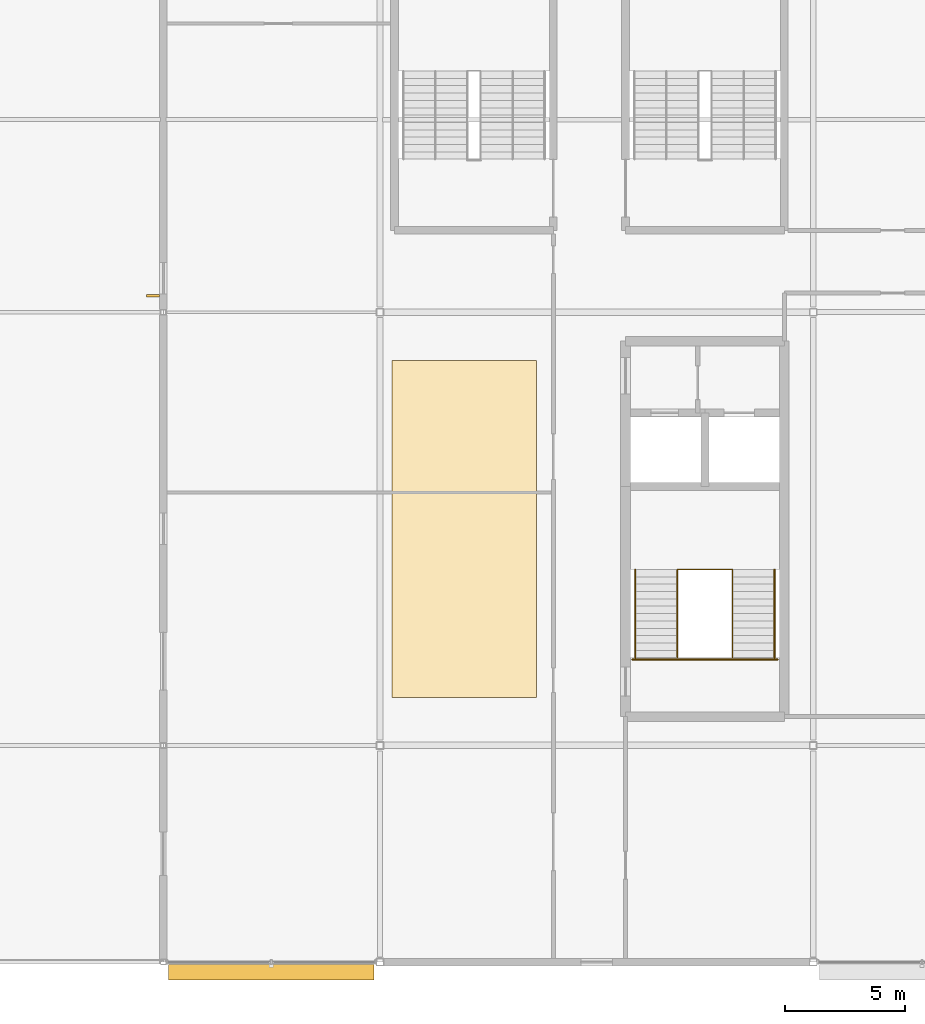
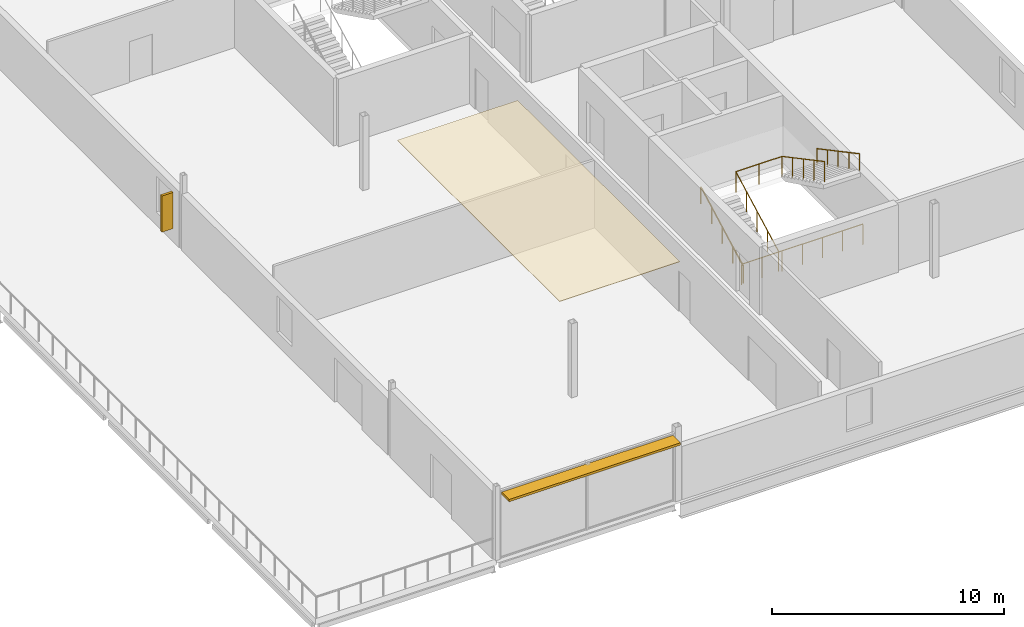
# One storey, part 51 of 55: 4 railings, 2 shading devices, 1 covering.
"""IFC4 building model written with IfcOpenShell, lengths in metres."""

from ifc_helpers import new_model, si_unit, direction, frame, origin, origin_2d, place, context, subcontext, project, spatial, polyline, rectangle, circle, outline, extrude, material, layer, layer_set, type_object, element, save


model = new_model("IFC4")

# Units and contexts
model_context = context("Model", 3, precision=1e-05, world=origin(), true_north=direction((0.0, 1.0)))
body_context = subcontext(model_context, "Body", "Model", "MODEL_VIEW")
ifc_project = project(units=[si_unit("LENGTHUNIT", "METRE"), si_unit("AREAUNIT", "SQUARE_METRE"), si_unit("VOLUMEUNIT", "CUBIC_METRE"), si_unit("PLANEANGLEUNIT", "RADIAN"), si_unit("MASSUNIT", "GRAM", prefix="KILO")], contexts=[model_context])

# Site, building, storey
site_placement = place(None, origin())
site = spatial("IfcSite", under=ifc_project, at=site_placement, CompositionType="ELEMENT")
building_placement = place(site_placement, origin())
building = spatial("IfcBuilding", under=site, at=building_placement, Name="Kisiwana Market Hall", CompositionType="ELEMENT")
storey_placement = place(building_placement, frame((0.0, 0.0, 37.800048828125)))
storey = spatial("IfcBuildingStorey", under=building, at=storey_placement, Name="L08", CompositionType="ELEMENT", Elevation=37.800048828125)

# Covering
ifc_material_1 = material(Name="Mineral-fibre acoustic ceiling board")
ifc_layer = layer(ifc_material_1, 0.02490234375)
ifc_layer_set = layer_set([ifc_layer], Name="COV-CEIL-AC")
covering_type = type_object("IfcCoveringType", Name="COV-CEIL-AC", PredefinedType="CEILING", material=ifc_layer_set)
covering_placement = place(storey_placement, frame((0.0, 0.0, 3.5400390625)))
element("IfcCovering", 1, at=covering_placement, inside=storey, type_object=covering_type, Name="Acoustic ceiling grid L08-022", PredefinedType="CEILING", context=body_context, shape_type="SweptSolid", body=[
    extrude(outline(polyline([(171.5, 20.0), (177.5, 20.0), (177.5, 34.0), (171.5, 34.0), (171.5, 20.0)])), origin(), (0.0, 0.0, 1.0), 0.02490234375),
])

# Railings
ifc_material_2 = material(Name="Steel S275", Category="steel")
railing_type_1 = type_object("IfcRailingType", Name="RL-GUARD-1100", PredefinedType="GUARDRAIL", material=ifc_material_2)
railing_1_placement = place(storey_placement, frame((183.35009765625, 21.6494140625, 0.0)))
element("IfcRailing", 2, at=railing_1_placement, inside=storey, type_object=railing_type_1, Name="Stair ST-E2-L08 inner-well guardrail (RL-1139)", PredefinedType="GUARDRAIL", context=body_context, shape_type="SweptSolid", body=[
    extrude(circle(Radius=0.02392578125, at=origin_2d()), frame((0.0, 0.0, 1.076171875), z_axis=(0.0, 0.882566327451, 0.470187917379), x_axis=(-1.0, 0.0, 0.0)), (0.0, 0.0, 1.0), 4.147216796875),
    extrude(circle(Radius=0.02392578125, at=origin_2d()), frame((0.0, 3.66015625, 3.02587890625), z_axis=(1.0, 0.0, 0.0), x_axis=(0.0, 1.0, 0.0)), (0.0, 0.0, 1.0), 2.2998046875),
    extrude(circle(Radius=0.02392578125, at=origin_2d()), frame((2.2998046875, 3.66015625, 3.02587890625), z_axis=(0.0, -0.882566327451, 0.470187917379), x_axis=(1.0, 0.0, 0.0)), (0.0, 0.0, 1.0), 4.147216796875),
    extrude(circle(Radius=0.02099609375, at=origin_2d()), origin(), (0.0, 0.0, 1.0), 1.052001953125),
    extrude(circle(Radius=0.02099609375, at=origin_2d()), frame((0.0, 0.9150390625, 0.487548828125)), (0.0, 0.0, 1.0), 1.052001953125),
    extrude(circle(Radius=0.02099609375, at=origin_2d()), frame((0.0, 1.830078125, 0.97509765625)), (0.0, 0.0, 1.0), 1.052001953125),
    extrude(circle(Radius=0.02099609375, at=origin_2d()), frame((0.0, 2.7451171875, 1.46240234375)), (0.0, 0.0, 1.0), 1.052001953125),
    extrude(circle(Radius=0.02099609375, at=origin_2d()), frame((0.0, 3.66015625, 1.949951171875)), (0.0, 0.0, 1.0), 1.052001953125),
    extrude(circle(Radius=0.02099609375, at=origin_2d()), frame((1.14990234375, 3.66015625, 1.949951171875)), (0.0, 0.0, 1.0), 1.052001953125),
    extrude(circle(Radius=0.02099609375, at=origin_2d()), frame((2.2998046875, 3.66015625, 1.949951171875)), (0.0, 0.0, 1.0), 1.052001953125),
    extrude(circle(Radius=0.02099609375, at=origin_2d()), frame((2.2998046875, 2.7451171875, 2.4375)), (0.0, 0.0, 1.0), 1.052001953125),
    extrude(circle(Radius=0.02099609375, at=origin_2d()), frame((2.2998046875, 1.830078125, 2.9248046875)), (0.0, 0.0, 1.0), 1.052001953125),
    extrude(circle(Radius=0.02099609375, at=origin_2d()), frame((2.2998046875, 0.9150390625, 3.412353515625)), (0.0, 0.0, 1.0), 1.052001953125),
    extrude(circle(Radius=0.02099609375, at=origin_2d()), frame((2.2998046875, 0.0, 3.89990234375)), (0.0, 0.0, 1.0), 1.052001953125),
])
railing_2_placement = place(storey_placement, frame((181.47998046875, 21.569580078125, 0.0)))
element("IfcRailing", 3, at=railing_2_placement, inside=storey, type_object=railing_type_1, Name="Stair ST-E2-L08 landing edge guardrail (RL-1142)", PredefinedType="GUARDRAIL", context=body_context, shape_type="SweptSolid", body=[
    extrude(circle(Radius=0.02392578125, at=origin_2d()), frame((0.0, 0.0, 1.076171875), z_axis=(1.0, 0.0, 0.0), x_axis=(0.0, 1.0, 0.0)), (0.0, 0.0, 1.0), 6.0400390625),
    extrude(circle(Radius=0.02099609375, at=origin_2d()), origin(), (0.0, 0.0, 1.0), 1.052001953125),
    extrude(circle(Radius=0.02099609375, at=origin_2d()), frame((1.006591796875, 0.0, 0.0)), (0.0, 0.0, 1.0), 1.052001953125),
    extrude(circle(Radius=0.02099609375, at=origin_2d()), frame((2.013427734375, 0.0, 0.0)), (0.0, 0.0, 1.0), 1.052001953125),
    extrude(circle(Radius=0.02099609375, at=origin_2d()), frame((3.02001953125, 0.0, 0.0)), (0.0, 0.0, 1.0), 1.052001953125),
    extrude(circle(Radius=0.02099609375, at=origin_2d()), frame((4.026611328125, 0.0, 0.0)), (0.0, 0.0, 1.0), 1.052001953125),
    extrude(circle(Radius=0.02099609375, at=origin_2d()), frame((5.033447265625, 0.0, 0.0)), (0.0, 0.0, 1.0), 1.052001953125),
    extrude(circle(Radius=0.02099609375, at=origin_2d()), frame((6.0400390625, 0.0, 0.0)), (0.0, 0.0, 1.0), 1.052001953125),
])
ifc_material_3 = material(Name="Steel S275", Category="steel")
railing_type_2 = type_object("IfcRailingType", Name="RL-HAND-900", PredefinedType="HANDRAIL", material=ifc_material_3)
railing_3_placement = place(storey_placement, frame((181.610107421875, 21.6494140625, 0.0)))
element("IfcRailing", 4, at=railing_3_placement, inside=storey, type_object=railing_type_2, Name="Stair ST-E2-L08 flight 1 handrail (RL-1140)", PredefinedType="HANDRAIL", context=body_context, shape_type="SweptSolid", body=[
    extrude(circle(Radius=0.02392578125, at=origin_2d()), frame((0.0, 0.0, 0.8759765625), z_axis=(0.0, 0.882566327451, 0.470187917379), x_axis=(-1.0, 0.0, 0.0)), (0.0, 0.0, 1.0), 4.147216796875),
    extrude(circle(Radius=0.02099609375, at=origin_2d()), origin(), (0.0, 0.0, 1.0), 0.851806640625),
    extrude(circle(Radius=0.02099609375, at=origin_2d()), frame((0.0, 0.9150390625, 0.487548828125)), (0.0, 0.0, 1.0), 0.851806640625),
    extrude(circle(Radius=0.02099609375, at=origin_2d()), frame((0.0, 1.830078125, 0.97509765625)), (0.0, 0.0, 1.0), 0.851806640625),
    extrude(circle(Radius=0.02099609375, at=origin_2d()), frame((0.0, 2.7451171875, 1.46240234375)), (0.0, 0.0, 1.0), 0.851806640625),
    extrude(circle(Radius=0.02099609375, at=origin_2d()), frame((0.0, 3.66015625, 1.949951171875)), (0.0, 0.0, 1.0), 0.851806640625),
])
railing_4_placement = place(storey_placement, frame((187.389892578125, 25.3095703125, 1.949951171875)))
element("IfcRailing", 5, at=railing_4_placement, inside=storey, type_object=railing_type_2, Name="Stair ST-E2-L08 flight 2 handrail (RL-1141)", PredefinedType="HANDRAIL", context=body_context, shape_type="SweptSolid", body=[
    extrude(circle(Radius=0.02392578125, at=origin_2d()), frame((0.0, 0.0, 0.8759765625), z_axis=(0.0, -0.882566327451, 0.470187917379), x_axis=(1.0, 0.0, 0.0)), (0.0, 0.0, 1.0), 4.147216796875),
    extrude(circle(Radius=0.02099609375, at=origin_2d()), origin(), (0.0, 0.0, 1.0), 0.851806640625),
    extrude(circle(Radius=0.02099609375, at=origin_2d()), frame((0.0, -0.9150390625, 0.487548828125)), (0.0, 0.0, 1.0), 0.851806640625),
    extrude(circle(Radius=0.02099609375, at=origin_2d()), frame((0.0, -1.830078125, 0.97509765625)), (0.0, 0.0, 1.0), 0.851806640625),
    extrude(circle(Radius=0.02099609375, at=origin_2d()), frame((0.0, -2.7451171875, 1.46240234375)), (0.0, 0.0, 1.0), 0.851806640625),
    extrude(circle(Radius=0.02099609375, at=origin_2d()), frame((0.0, -3.66015625, 1.949951171875)), (0.0, 0.0, 1.0), 0.851806640625),
])

# Shading devices
ifc_material_4 = material(Name="Aluminium alloy 6063-T6", Category="aluminium")
shading_device_type_1 = type_object("IfcShadingDeviceType", Name="SHD-JALOUSIE-H", PredefinedType="JALOUSIE", material=ifc_material_4)
shading_device_1_placement = place(storey_placement, frame((166.47998046875, 8.580078125, 3.385009765625), z_axis=(0.0, 0.0, 1.0), x_axis=(1.0, 0.0, 0.0)))
element("IfcShadingDevice", 6, at=shading_device_1_placement, inside=storey, type_object=shading_device_type_1, Name="Aluminium brise-soleil louvre SHD-179 SD-178", PredefinedType="JALOUSIE", context=body_context, shape_type="SweptSolid", body=[
    extrude(rectangle(XDim=8.5400390625, YDim=0.64990234375, at=origin_2d()), origin(), (0.0, 0.0, 1.0), 0.1201171875),
])
ifc_material_5 = material(Name="Aluminium alloy 6063-T6", Category="aluminium")
shading_device_type_2 = type_object("IfcShadingDeviceType", Name="SHD-SHUTTER-V", PredefinedType="SHUTTER", material=ifc_material_5)
shading_device_2_placement = place(storey_placement, frame((161.5673828125, 36.68505859375, 0.699951171875), z_axis=(0.0, 0.0, 1.0), x_axis=(0.0, 1.0, 0.0)))
element("IfcShadingDevice", 7, at=shading_device_2_placement, inside=storey, type_object=shading_device_type_2, Name="Vertical solar fin SHD-185 SD-184", PredefinedType="SHUTTER", context=body_context, shape_type="SweptSolid", body=[
    extrude(rectangle(XDim=0.1201171875, YDim=0.550048828125, at=origin_2d()), origin(), (0.0, 0.0, 1.0), 1.89990234375),
])

save(model, "model.ifc")
